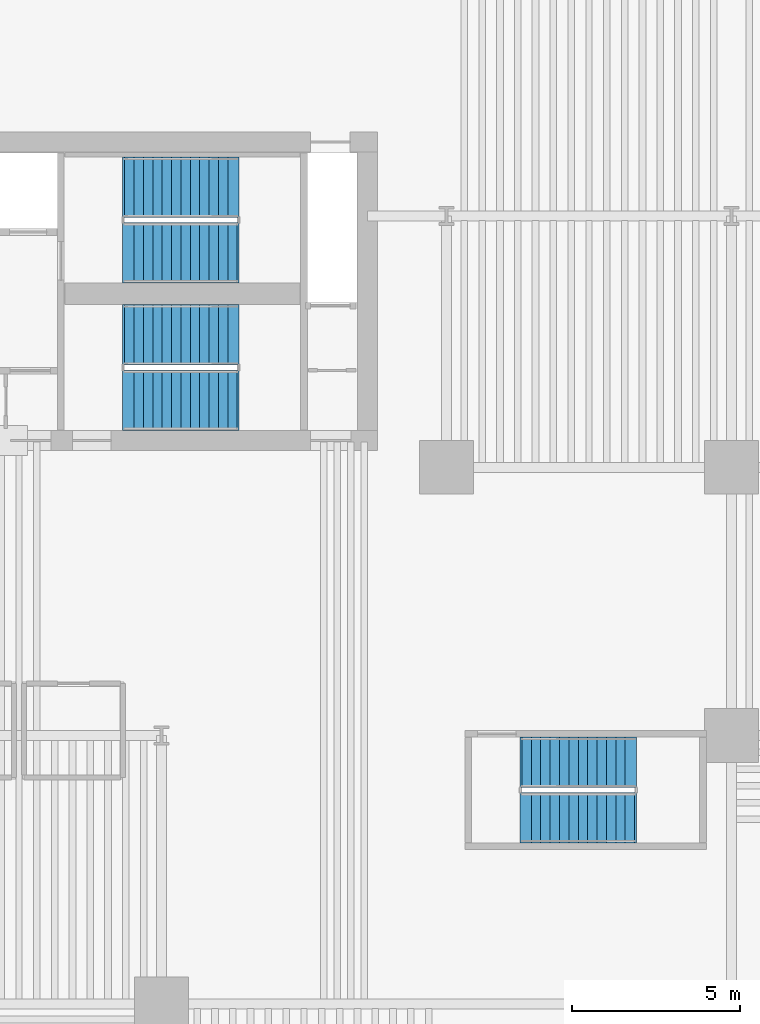
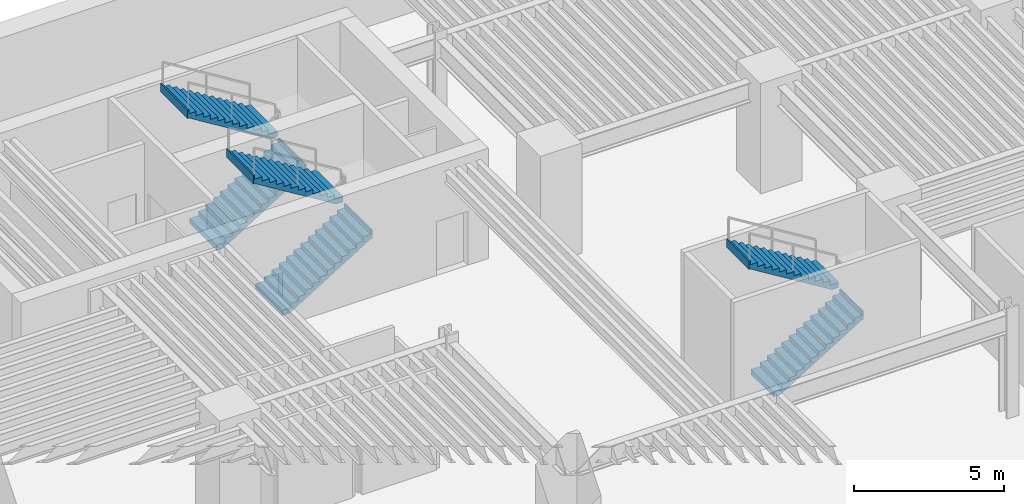
# One storey, part 5 of 9: 6 stair flights, 3 elements without a shape of their own.
"""IFC4 building model written with IfcOpenShell, lengths in metres."""

import ifcopenshell
import ifcopenshell.guid

model = None  # the IFC model being written
_history = None  # IfcOwnerHistory: only IFC2X3 demands one
_inside = {}  # id of a spatial element -> (the spatial element, [elements in it])
_under = {}  # id of a project, library or spatial element -> (it, [spatial elements below it])
_declared = {}  # id of a project -> (the project, [libraries it declares])
_typed = {}  # id of a type object -> (the type object, [elements of that type])
_made_of = {}  # id of a material, layer set ... -> (it, [elements and type objects made of it])


def new_model(schema):
    """Start an empty IFC model of exactly this schema.

    Asked for "IFC4X3", IfcOpenShell would pick the latest addendum, in which some entities
    have other attributes; the version numbers below select the first issue.
    IFC2X3 requires an IfcOwnerHistory on every rooted entity: one is made here for all.
    """
    global model, _history
    if schema == "IFC4X3":
        model = ifcopenshell.file(schema_version=(4, 3, 0, 0))
    else:
        model = ifcopenshell.file(schema=schema)
    _inside.clear()
    _under.clear()
    _declared.clear()
    _typed.clear()
    _made_of.clear()
    _history = None
    if model.schema == "IFC2X3":
        org = make("IfcOrganization", Name="unknown")
        user = make(
            "IfcPersonAndOrganization",
            ThePerson=make("IfcPerson", FamilyName="unknown"),
            TheOrganization=org,
        )
        app = make(
            "IfcApplication",
            ApplicationDeveloper=org,
            Version="unknown",
            ApplicationFullName="unknown",
            ApplicationIdentifier="unknown",
        )
        _history = make(
            "IfcOwnerHistory",
            OwningUser=user,
            OwningApplication=app,
            ChangeAction="ADDED",
            CreationDate=0,
        )
    return model


def make(cls, **values):
    """One entity of the class cls with the attributes given. An attribute that is None is left unset."""
    return model.create_entity(
        cls, **{name: value for name, value in values.items() if value is not None}
    )


def rooted(cls, **values):
    """An entity with a GlobalId (a new one), such as an element, a storey or a relation."""
    return make(cls, GlobalId=ifcopenshell.guid.new(), OwnerHistory=_history, **values)


def si_unit(unit_type, name, prefix=None):
    """IfcSIUnit, for example si_unit("LENGTHUNIT", "METRE", prefix="MILLI")."""
    return make("IfcSIUnit", UnitType=unit_type, Prefix=prefix, Name=name)


def assignment(units):
    """IfcUnitAssignment: the units of a project."""
    return None if units is None else make("IfcUnitAssignment", Units=units)


def point(xyz):
    """IfcCartesianPoint."""
    return None if xyz is None else make("IfcCartesianPoint", Coordinates=xyz)


def direction(xyz):
    """IfcDirection."""
    return None if xyz is None else make("IfcDirection", DirectionRatios=xyz)


def frame(location, z_axis=None, x_axis=None):
    """IfcAxis2Placement3D, a coordinate frame: its origin and axes. An axis left out is left unset."""
    return make(
        "IfcAxis2Placement3D",
        Location=point(location),
        Axis=direction(z_axis),
        RefDirection=direction(x_axis),
    )


def origin():
    """The frame at (0, 0, 0) with its axes left unset."""
    return frame((0.0, 0.0, 0.0))


def place(relative_to, where):
    """IfcLocalPlacement: puts the frame where relative to a parent placement (None: the world)."""
    return make(
        "IfcLocalPlacement", PlacementRelTo=relative_to, RelativePlacement=where
    )


def context(
    kind, dimensions, precision=None, world=None, true_north=None, identifier=None
):
    """IfcGeometricRepresentationContext, for example the 3D "Model" context."""
    return make(
        "IfcGeometricRepresentationContext",
        ContextIdentifier=identifier,
        ContextType=kind,
        CoordinateSpaceDimension=dimensions,
        Precision=precision,
        WorldCoordinateSystem=world,
        TrueNorth=true_north,
    )


def subcontext(parent, identifier, kind, view, scale=None):
    """IfcGeometricRepresentationSubContext, for example "Body" below "Model"."""
    return make(
        "IfcGeometricRepresentationSubContext",
        ContextIdentifier=identifier,
        ContextType=kind,
        ParentContext=parent,
        TargetScale=scale,
        TargetView=view,
    )


def project(units=None, contexts=None):
    """IfcProject with its units and contexts."""
    return rooted(
        "IfcProject",
        Name="project",
        RepresentationContexts=contexts,
        UnitsInContext=assignment(units),
    )


def spatial(cls, under=None, at=None, **own):
    """A site, building, storey or space (cls), placed at a placement, below another one or the project."""
    s = rooted(cls, ObjectPlacement=at, **own)
    if under is not None:
        _under.setdefault(under.id(), (under, []))[1].append(s)
    return s


def polyline(points):
    """IfcPolyline through the points."""
    return make("IfcPolyline", Points=[point(p) for p in points])


def outline(outer, holes=None, kind="AREA"):
    """IfcArbitraryClosedProfileDef: a profile drawn as a closed curve; with holes, ...WithVoids."""
    if holes is None:
        return make("IfcArbitraryClosedProfileDef", ProfileType=kind, OuterCurve=outer)
    return make(
        "IfcArbitraryProfileDefWithVoids",
        ProfileType=kind,
        OuterCurve=outer,
        InnerCurves=holes,
    )


def extrude(swept, where, along, depth):
    """IfcExtrudedAreaSolid: the profile swept, set in the frame where, extruded along a direction by depth."""
    return make(
        "IfcExtrudedAreaSolid",
        SweptArea=swept,
        Position=where,
        ExtrudedDirection=direction(along),
        Depth=depth,
    )


def shape(context_of_items, identifier, shape_type, items):
    """IfcShapeRepresentation: the items that make up one representation, for example the "Body"."""
    return make(
        "IfcShapeRepresentation",
        ContextOfItems=context_of_items,
        RepresentationIdentifier=identifier,
        RepresentationType=shape_type,
        Items=items,
    )


def material(Name=None, Category=None):
    """IfcMaterial."""
    return make("IfcMaterial", Name=Name, Category=Category)


def made_of(thing, what):
    """Note that an element or type object is made of a material, layer set ...; save() writes the relation."""
    if what is not None:
        _made_of.setdefault(what.id(), (what, []))[1].append(thing)
    return thing


def type_object(cls, material=None, **own):
    """A type object (cls), such as IfcWallType, which elements share."""
    return made_of(rooted(cls, **own), material)


def element(
    cls,
    number,
    at=None,
    inside=None,
    cuts=None,
    type_object=None,
    material=None,
    context=None,
    identifier="Body",
    shape_type=None,
    held_by="IfcProductDefinitionShape",
    body=None,
    shapes=None,
    **own,
):
    """One element of the class cls, such as IfcWall. Its Tag is "e" and its number.

    at: its placement. inside: the storey or other place that contains it. cuts: it is an
    opening in that element (IfcRelVoidsElement). A single representation is given by context,
    identifier, shape_type and body (its items); several are given by shapes. held_by: the class
    of the entity that holds the representations. save() writes the other relations.
    """
    e = rooted(cls, Tag="e%d" % number, ObjectPlacement=at, **own)
    if body is not None:
        shapes = [shape(context, identifier, shape_type, body)]
    if shapes is not None:
        e.Representation = make(held_by, Representations=shapes)
    if inside is not None:
        _inside.setdefault(inside.id(), (inside, []))[1].append(e)
    if cuts is not None:
        rooted(
            "IfcRelVoidsElement", RelatingBuildingElement=cuts, RelatedOpeningElement=e
        )
    if type_object is not None:
        _typed.setdefault(type_object.id(), (type_object, []))[1].append(e)
    return made_of(e, material)


def aggregate(whole, parts):
    """IfcRelAggregates: a whole, such as a stair, and the parts it consists of."""
    return rooted("IfcRelAggregates", RelatingObject=whole, RelatedObjects=parts)


def save(model, path):
    """Write the relations noted so far, then the file.

    IfcRelAggregates (storeys below a building ...), IfcRelContainedInSpatialStructure (elements
    in a storey), IfcRelDefinesByType, IfcRelAssociatesMaterial and IfcRelDeclares: one each for
    every whole, place, type object, material and project.
    """
    for whole, parts in _under.values():
        aggregate(whole, parts)
    for where, things in _inside.values():
        rooted(
            "IfcRelContainedInSpatialStructure",
            RelatedElements=things,
            RelatingStructure=where,
        )
    for kind, things in _typed.values():
        rooted("IfcRelDefinesByType", RelatedObjects=things, RelatingType=kind)
    for what, things in _made_of.values():
        rooted("IfcRelAssociatesMaterial", RelatedObjects=things, RelatingMaterial=what)
    for by, libraries in _declared.values():
        rooted("IfcRelDeclares", RelatingContext=by, RelatedDefinitions=libraries)
    model.write(path)


model = new_model("IFC4")

# Units and contexts
model_context = context("Model", 3, precision=1e-05, world=origin(), true_north=direction((0.0, 1.0)))
body_context = subcontext(model_context, "Body", "Model", "MODEL_VIEW")
ifc_project = project(units=[si_unit("LENGTHUNIT", "METRE"), si_unit("AREAUNIT", "SQUARE_METRE"), si_unit("VOLUMEUNIT", "CUBIC_METRE"), si_unit("PLANEANGLEUNIT", "RADIAN"), si_unit("MASSUNIT", "GRAM", prefix="KILO")], contexts=[model_context])

# Site, building, storey
site_placement = place(None, origin())
site = spatial("IfcSite", under=ifc_project, at=site_placement, CompositionType="ELEMENT")
building_placement = place(site_placement, origin())
building = spatial("IfcBuilding", under=site, at=building_placement, Name="Caeloran Harvest Quay", CompositionType="ELEMENT")
storey_placement = place(building_placement, frame((0.0, 0.0, -13.5)))
storey = spatial("IfcBuildingStorey", under=building, at=storey_placement, Name="B03", CompositionType="ELEMENT", Elevation=-13.5)

# Stair, stair flights
ifc_material = material(Name="Concrete C50/60", Category="concrete")
stair_type_1 = type_object("IfcStairType", Name="STAIR-STC-180", PredefinedType="HALF_TURN_STAIR", material=ifc_material)
stair_1_placement = place(storey_placement, origin())
stair_1 = element("IfcStair", 1, at=stair_1_placement, inside=storey, type_object=stair_type_1, Name="B03 Core Pressurized Exit Stair ST-C1", PredefinedType="HALF_TURN_STAIR")
stair_flight_type_1 = type_object("IfcStairFlightType", Name="FLIGHT-STC-180", PredefinedType="STRAIGHT", material=ifc_material)
stair_flight_1_placement = place(storey_placement, frame((15.89990234375, 37.39990234375, 0.0), z_axis=(0.0, 0.0, 1.0), x_axis=(1.0, 0.0, 0.0)))
stair_flight_1 = element("IfcStairFlight", 2, at=stair_flight_1_placement, type_object=stair_flight_type_1, Name="ST-C1 flight 1", NumberOfRisers=13, NumberOfTreads=12, PredefinedType="STRAIGHT", RiserHeight=0.173076923, TreadLength=0.28, context=body_context, shape_type="SweptSolid", body=[
    extrude(outline(polyline([(-0.054931640625, -0.044921875), (-0.054931640625, -0.03125), (-0.054931640625, -0.017822265625), (-0.054931640625, -0.004150390625), (-0.054931640625, 0.009521484375), (-0.054931640625, 0.023193359375), (-0.054931640625, 0.036865234375), (-0.054931640625, 0.05029296875), (-0.054931640625, 0.06396484375), (-0.054931640625, 0.07763671875), (-0.054931640625, 0.09130859375), (-0.054931640625, 0.10498046875), (-0.054931640625, 0.11865234375), (-0.054931640625, 0.132080078125), (-0.054931640625, 0.145751953125), (-0.054931640625, 0.159423828125), (-0.054931640625, 0.173095703125), (0.280029296875, 0.173095703125), (0.280029296875, 0.34619140625), (0.56005859375, 0.34619140625), (0.56005859375, 0.519287109375), (0.840087890625, 0.519287109375), (0.840087890625, 0.6923828125), (1.1201171875, 0.6923828125), (1.1201171875, 0.865478515625), (1.39990234375, 0.865478515625), (1.39990234375, 1.03857421875), (1.679931640625, 1.03857421875), (1.679931640625, 1.21142578125), (1.9599609375, 1.21142578125), (1.9599609375, 1.384521484375), (2.239990234375, 1.384521484375), (2.239990234375, 1.5576171875), (2.52001953125, 1.5576171875), (2.52001953125, 1.730712890625), (2.800048828125, 1.730712890625), (2.800048828125, 1.90380859375), (3.080078125, 1.90380859375), (3.080078125, 2.076904296875), (3.360107421875, 2.076904296875), (3.360107421875, 2.25), (3.4150390625, 2.25), (3.4150390625, 2.228271484375), (3.4150390625, 2.206298828125), (3.4150390625, 2.1845703125), (3.4150390625, 2.16259765625), (3.4150390625, 2.140869140625), (3.4150390625, 2.118896484375), (3.4150390625, 2.09716796875), (3.4150390625, 2.075439453125), (3.4150390625, 2.053466796875), (3.4150390625, 2.03173828125), (3.4150390625, 2.009765625), (3.4150390625, 1.988037109375), (3.4150390625, 1.96630859375), (3.4150390625, 1.9443359375), (3.4150390625, 1.922607421875), (3.4150390625, 1.900634765625), (3.360107421875, 1.900634765625), (0.21240234375, -0.044921875), (-0.054931640625, -0.044921875)])), frame((0.0, 0.89990234375, 0.0), z_axis=(0.0, -1.0, 0.0), x_axis=(1.0, 0.0, 0.0)), (0.0, 0.0, 1.0), 1.800048828125),
])
stair_flight_2_placement = place(storey_placement, frame((19.260009765625, 39.35009765625, 2.25), z_axis=(0.0, 0.0, 1.0), x_axis=(-1.0, 0.0, 0.0)))
stair_flight_2 = element("IfcStairFlight", 3, at=stair_flight_2_placement, type_object=stair_flight_type_1, Name="ST-C1 flight 2", NumberOfRisers=13, NumberOfTreads=12, PredefinedType="STRAIGHT", RiserHeight=0.173076923, TreadLength=0.28, context=body_context, shape_type="SweptSolid", body=[
    extrude(outline(polyline([(-0.054931640625, -0.044921875), (-0.054931640625, -0.03125), (-0.054931640625, -0.017822265625), (-0.054931640625, -0.004150390625), (-0.054931640625, 0.009521484375), (-0.054931640625, 0.023193359375), (-0.054931640625, 0.036865234375), (-0.054931640625, 0.05029296875), (-0.054931640625, 0.06396484375), (-0.054931640625, 0.07763671875), (-0.054931640625, 0.09130859375), (-0.054931640625, 0.10498046875), (-0.054931640625, 0.11865234375), (-0.054931640625, 0.132080078125), (-0.054931640625, 0.145751953125), (-0.054931640625, 0.159423828125), (-0.054931640625, 0.173095703125), (0.280029296875, 0.173095703125), (0.280029296875, 0.34619140625), (0.56005859375, 0.34619140625), (0.56005859375, 0.519287109375), (0.840087890625, 0.519287109375), (0.840087890625, 0.6923828125), (1.1201171875, 0.6923828125), (1.1201171875, 0.865478515625), (1.39990234375, 0.865478515625), (1.39990234375, 1.03857421875), (1.679931640625, 1.03857421875), (1.679931640625, 1.21142578125), (1.9599609375, 1.21142578125), (1.9599609375, 1.384521484375), (2.239990234375, 1.384521484375), (2.239990234375, 1.5576171875), (2.52001953125, 1.5576171875), (2.52001953125, 1.730712890625), (2.800048828125, 1.730712890625), (2.800048828125, 1.90380859375), (3.080078125, 1.90380859375), (3.080078125, 2.076904296875), (3.360107421875, 2.076904296875), (3.360107421875, 2.25), (3.4150390625, 2.25), (3.4150390625, 2.228271484375), (3.4150390625, 2.206298828125), (3.4150390625, 2.1845703125), (3.4150390625, 2.16259765625), (3.4150390625, 2.140869140625), (3.4150390625, 2.118896484375), (3.4150390625, 2.09716796875), (3.4150390625, 2.075439453125), (3.4150390625, 2.053466796875), (3.4150390625, 2.03173828125), (3.4150390625, 2.009765625), (3.4150390625, 1.988037109375), (3.4150390625, 1.96630859375), (3.4150390625, 1.9443359375), (3.4150390625, 1.922607421875), (3.4150390625, 1.900634765625), (3.360107421875, 1.900634765625), (0.21240234375, -0.044921875), (-0.054931640625, -0.044921875)])), frame((0.0, 0.89990234375, 0.0), z_axis=(0.0, -1.0, 0.0), x_axis=(1.0, 0.0, 0.0)), (0.0, 0.0, 1.0), 1.800048828125),
])
aggregate(stair_1, [stair_flight_1, stair_flight_2])

stair_2_placement = place(storey_placement, origin())
stair_2 = element("IfcStair", 4, at=stair_2_placement, inside=storey, type_object=stair_type_1, Name="B03 Core Pressurized Exit Stair ST-C2", PredefinedType="HALF_TURN_STAIR")
stair_flight_3_placement = place(storey_placement, frame((15.89990234375, 33.0, 0.0), z_axis=(0.0, 0.0, 1.0), x_axis=(1.0, 0.0, 0.0)))
stair_flight_3 = element("IfcStairFlight", 5, at=stair_flight_3_placement, type_object=stair_flight_type_1, Name="ST-C2 flight 1", NumberOfRisers=13, NumberOfTreads=12, PredefinedType="STRAIGHT", RiserHeight=0.173076923, TreadLength=0.28, context=body_context, shape_type="SweptSolid", body=[
    extrude(outline(polyline([(-0.054931640625, -0.044921875), (-0.054931640625, -0.03125), (-0.054931640625, -0.017822265625), (-0.054931640625, -0.004150390625), (-0.054931640625, 0.009521484375), (-0.054931640625, 0.023193359375), (-0.054931640625, 0.036865234375), (-0.054931640625, 0.05029296875), (-0.054931640625, 0.06396484375), (-0.054931640625, 0.07763671875), (-0.054931640625, 0.09130859375), (-0.054931640625, 0.10498046875), (-0.054931640625, 0.11865234375), (-0.054931640625, 0.132080078125), (-0.054931640625, 0.145751953125), (-0.054931640625, 0.159423828125), (-0.054931640625, 0.173095703125), (0.280029296875, 0.173095703125), (0.280029296875, 0.34619140625), (0.56005859375, 0.34619140625), (0.56005859375, 0.519287109375), (0.840087890625, 0.519287109375), (0.840087890625, 0.6923828125), (1.1201171875, 0.6923828125), (1.1201171875, 0.865478515625), (1.39990234375, 0.865478515625), (1.39990234375, 1.03857421875), (1.679931640625, 1.03857421875), (1.679931640625, 1.21142578125), (1.9599609375, 1.21142578125), (1.9599609375, 1.384521484375), (2.239990234375, 1.384521484375), (2.239990234375, 1.5576171875), (2.52001953125, 1.5576171875), (2.52001953125, 1.730712890625), (2.800048828125, 1.730712890625), (2.800048828125, 1.90380859375), (3.080078125, 1.90380859375), (3.080078125, 2.076904296875), (3.360107421875, 2.076904296875), (3.360107421875, 2.25), (3.4150390625, 2.25), (3.4150390625, 2.228271484375), (3.4150390625, 2.206298828125), (3.4150390625, 2.1845703125), (3.4150390625, 2.16259765625), (3.4150390625, 2.140869140625), (3.4150390625, 2.118896484375), (3.4150390625, 2.09716796875), (3.4150390625, 2.075439453125), (3.4150390625, 2.053466796875), (3.4150390625, 2.03173828125), (3.4150390625, 2.009765625), (3.4150390625, 1.988037109375), (3.4150390625, 1.96630859375), (3.4150390625, 1.9443359375), (3.4150390625, 1.922607421875), (3.4150390625, 1.900634765625), (3.360107421875, 1.900634765625), (0.21240234375, -0.044921875), (-0.054931640625, -0.044921875)])), frame((0.0, 0.89990234375, 0.0), z_axis=(0.0, -1.0, 0.0), x_axis=(1.0, 0.0, 0.0)), (0.0, 0.0, 1.0), 1.800048828125),
])
stair_flight_4_placement = place(storey_placement, frame((19.260009765625, 34.949951171875, 2.25), z_axis=(0.0, 0.0, 1.0), x_axis=(-1.0, 0.0, 0.0)))
stair_flight_4 = element("IfcStairFlight", 6, at=stair_flight_4_placement, type_object=stair_flight_type_1, Name="ST-C2 flight 2", NumberOfRisers=13, NumberOfTreads=12, PredefinedType="STRAIGHT", RiserHeight=0.173076923, TreadLength=0.28, context=body_context, shape_type="SweptSolid", body=[
    extrude(outline(polyline([(-0.054931640625, -0.044921875), (-0.054931640625, -0.03125), (-0.054931640625, -0.017822265625), (-0.054931640625, -0.004150390625), (-0.054931640625, 0.009521484375), (-0.054931640625, 0.023193359375), (-0.054931640625, 0.036865234375), (-0.054931640625, 0.05029296875), (-0.054931640625, 0.06396484375), (-0.054931640625, 0.07763671875), (-0.054931640625, 0.09130859375), (-0.054931640625, 0.10498046875), (-0.054931640625, 0.11865234375), (-0.054931640625, 0.132080078125), (-0.054931640625, 0.145751953125), (-0.054931640625, 0.159423828125), (-0.054931640625, 0.173095703125), (0.280029296875, 0.173095703125), (0.280029296875, 0.34619140625), (0.56005859375, 0.34619140625), (0.56005859375, 0.519287109375), (0.840087890625, 0.519287109375), (0.840087890625, 0.6923828125), (1.1201171875, 0.6923828125), (1.1201171875, 0.865478515625), (1.39990234375, 0.865478515625), (1.39990234375, 1.03857421875), (1.679931640625, 1.03857421875), (1.679931640625, 1.21142578125), (1.9599609375, 1.21142578125), (1.9599609375, 1.384521484375), (2.239990234375, 1.384521484375), (2.239990234375, 1.5576171875), (2.52001953125, 1.5576171875), (2.52001953125, 1.730712890625), (2.800048828125, 1.730712890625), (2.800048828125, 1.90380859375), (3.080078125, 1.90380859375), (3.080078125, 2.076904296875), (3.360107421875, 2.076904296875), (3.360107421875, 2.25), (3.4150390625, 2.25), (3.4150390625, 2.228271484375), (3.4150390625, 2.206298828125), (3.4150390625, 2.1845703125), (3.4150390625, 2.16259765625), (3.4150390625, 2.140869140625), (3.4150390625, 2.118896484375), (3.4150390625, 2.09716796875), (3.4150390625, 2.075439453125), (3.4150390625, 2.053466796875), (3.4150390625, 2.03173828125), (3.4150390625, 2.009765625), (3.4150390625, 1.988037109375), (3.4150390625, 1.96630859375), (3.4150390625, 1.9443359375), (3.4150390625, 1.922607421875), (3.4150390625, 1.900634765625), (3.360107421875, 1.900634765625), (0.21240234375, -0.044921875), (-0.054931640625, -0.044921875)])), frame((0.0, 0.89990234375, 0.0), z_axis=(0.0, -1.0, 0.0), x_axis=(1.0, 0.0, 0.0)), (0.0, 0.0, 1.0), 1.800048828125),
])
aggregate(stair_2, [stair_flight_3, stair_flight_4])

stair_type_2 = type_object("IfcStairType", Name="STAIR-STW-150", PredefinedType="HALF_TURN_STAIR", material=ifc_material)
stair_3_placement = place(storey_placement, origin())
stair_3 = element("IfcStair", 7, at=stair_3_placement, inside=storey, type_object=stair_type_2, Name="B03 East Wing Protected Exit Stair ST-W1", PredefinedType="HALF_TURN_STAIR")
stair_flight_type_2 = type_object("IfcStairFlightType", Name="FLIGHT-STW-150", PredefinedType="STRAIGHT", material=ifc_material)
stair_flight_5_placement = place(storey_placement, frame((27.75, 20.550048828125, 0.0), z_axis=(0.0, 0.0, 1.0), x_axis=(1.0, 0.0, 0.0)))
stair_flight_5 = element("IfcStairFlight", 8, at=stair_flight_5_placement, type_object=stair_flight_type_2, Name="ST-W1 flight 1", NumberOfRisers=13, NumberOfTreads=12, PredefinedType="STRAIGHT", RiserHeight=0.173076923, TreadLength=0.28, context=body_context, shape_type="SweptSolid", body=[
    extrude(outline(polyline([(-0.054931640625, -0.044921875), (-0.054931640625, -0.03125), (-0.054931640625, -0.017822265625), (-0.054931640625, -0.004150390625), (-0.054931640625, 0.009521484375), (-0.054931640625, 0.023193359375), (-0.054931640625, 0.036865234375), (-0.054931640625, 0.05029296875), (-0.054931640625, 0.06396484375), (-0.054931640625, 0.07763671875), (-0.054931640625, 0.09130859375), (-0.054931640625, 0.10498046875), (-0.054931640625, 0.11865234375), (-0.054931640625, 0.132080078125), (-0.054931640625, 0.145751953125), (-0.054931640625, 0.159423828125), (-0.054931640625, 0.173095703125), (0.280029296875, 0.173095703125), (0.280029296875, 0.34619140625), (0.56005859375, 0.34619140625), (0.56005859375, 0.519287109375), (0.840087890625, 0.519287109375), (0.840087890625, 0.6923828125), (1.1201171875, 0.6923828125), (1.1201171875, 0.865478515625), (1.39990234375, 0.865478515625), (1.39990234375, 1.03857421875), (1.679931640625, 1.03857421875), (1.679931640625, 1.21142578125), (1.9599609375, 1.21142578125), (1.9599609375, 1.384521484375), (2.239990234375, 1.384521484375), (2.239990234375, 1.5576171875), (2.52001953125, 1.5576171875), (2.52001953125, 1.730712890625), (2.800048828125, 1.730712890625), (2.800048828125, 1.90380859375), (3.080078125, 1.90380859375), (3.080078125, 2.076904296875), (3.360107421875, 2.076904296875), (3.360107421875, 2.25), (3.4150390625, 2.25), (3.4150390625, 2.228271484375), (3.4150390625, 2.206298828125), (3.4150390625, 2.1845703125), (3.4150390625, 2.16259765625), (3.4150390625, 2.140869140625), (3.4150390625, 2.118896484375), (3.4150390625, 2.09716796875), (3.4150390625, 2.075439453125), (3.4150390625, 2.053466796875), (3.4150390625, 2.03173828125), (3.4150390625, 2.009765625), (3.4150390625, 1.988037109375), (3.4150390625, 1.96630859375), (3.4150390625, 1.9443359375), (3.4150390625, 1.922607421875), (3.4150390625, 1.900634765625), (3.360107421875, 1.900634765625), (0.21240234375, -0.044921875), (-0.054931640625, -0.044921875)])), frame((0.0, 0.75, 0.0), z_axis=(0.0, -1.0, 0.0), x_axis=(1.0, 0.0, 0.0)), (0.0, 0.0, 1.0), 1.5),
])
stair_flight_6_placement = place(storey_placement, frame((31.110107421875, 22.199951171875, 2.25), z_axis=(0.0, 0.0, 1.0), x_axis=(-1.0, 0.0, 0.0)))
stair_flight_6 = element("IfcStairFlight", 9, at=stair_flight_6_placement, type_object=stair_flight_type_2, Name="ST-W1 flight 2", NumberOfRisers=13, NumberOfTreads=12, PredefinedType="STRAIGHT", RiserHeight=0.173076923, TreadLength=0.28, context=body_context, shape_type="SweptSolid", body=[
    extrude(outline(polyline([(-0.054931640625, -0.044921875), (-0.054931640625, -0.03125), (-0.054931640625, -0.017822265625), (-0.054931640625, -0.004150390625), (-0.054931640625, 0.009521484375), (-0.054931640625, 0.023193359375), (-0.054931640625, 0.036865234375), (-0.054931640625, 0.05029296875), (-0.054931640625, 0.06396484375), (-0.054931640625, 0.07763671875), (-0.054931640625, 0.09130859375), (-0.054931640625, 0.10498046875), (-0.054931640625, 0.11865234375), (-0.054931640625, 0.132080078125), (-0.054931640625, 0.145751953125), (-0.054931640625, 0.159423828125), (-0.054931640625, 0.173095703125), (0.280029296875, 0.173095703125), (0.280029296875, 0.34619140625), (0.56005859375, 0.34619140625), (0.56005859375, 0.519287109375), (0.840087890625, 0.519287109375), (0.840087890625, 0.6923828125), (1.1201171875, 0.6923828125), (1.1201171875, 0.865478515625), (1.39990234375, 0.865478515625), (1.39990234375, 1.03857421875), (1.679931640625, 1.03857421875), (1.679931640625, 1.21142578125), (1.9599609375, 1.21142578125), (1.9599609375, 1.384521484375), (2.239990234375, 1.384521484375), (2.239990234375, 1.5576171875), (2.52001953125, 1.5576171875), (2.52001953125, 1.730712890625), (2.800048828125, 1.730712890625), (2.800048828125, 1.90380859375), (3.080078125, 1.90380859375), (3.080078125, 2.076904296875), (3.360107421875, 2.076904296875), (3.360107421875, 2.25), (3.4150390625, 2.25), (3.4150390625, 2.228271484375), (3.4150390625, 2.206298828125), (3.4150390625, 2.1845703125), (3.4150390625, 2.16259765625), (3.4150390625, 2.140869140625), (3.4150390625, 2.118896484375), (3.4150390625, 2.09716796875), (3.4150390625, 2.075439453125), (3.4150390625, 2.053466796875), (3.4150390625, 2.03173828125), (3.4150390625, 2.009765625), (3.4150390625, 1.988037109375), (3.4150390625, 1.96630859375), (3.4150390625, 1.9443359375), (3.4150390625, 1.922607421875), (3.4150390625, 1.900634765625), (3.360107421875, 1.900634765625), (0.21240234375, -0.044921875), (-0.054931640625, -0.044921875)])), frame((0.0, 0.75, 0.0), z_axis=(0.0, -1.0, 0.0), x_axis=(1.0, 0.0, 0.0)), (0.0, 0.0, 1.0), 1.5),
])
aggregate(stair_3, [stair_flight_5, stair_flight_6])

save(model, "model.ifc")
